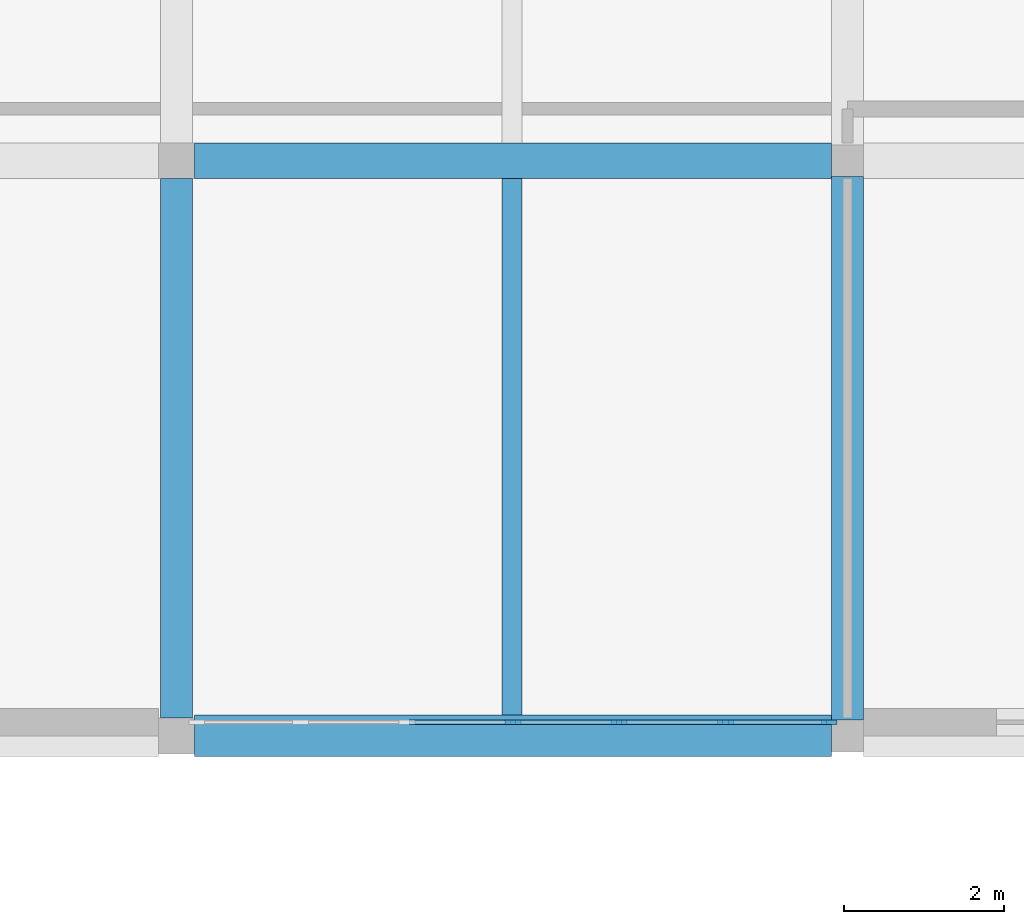
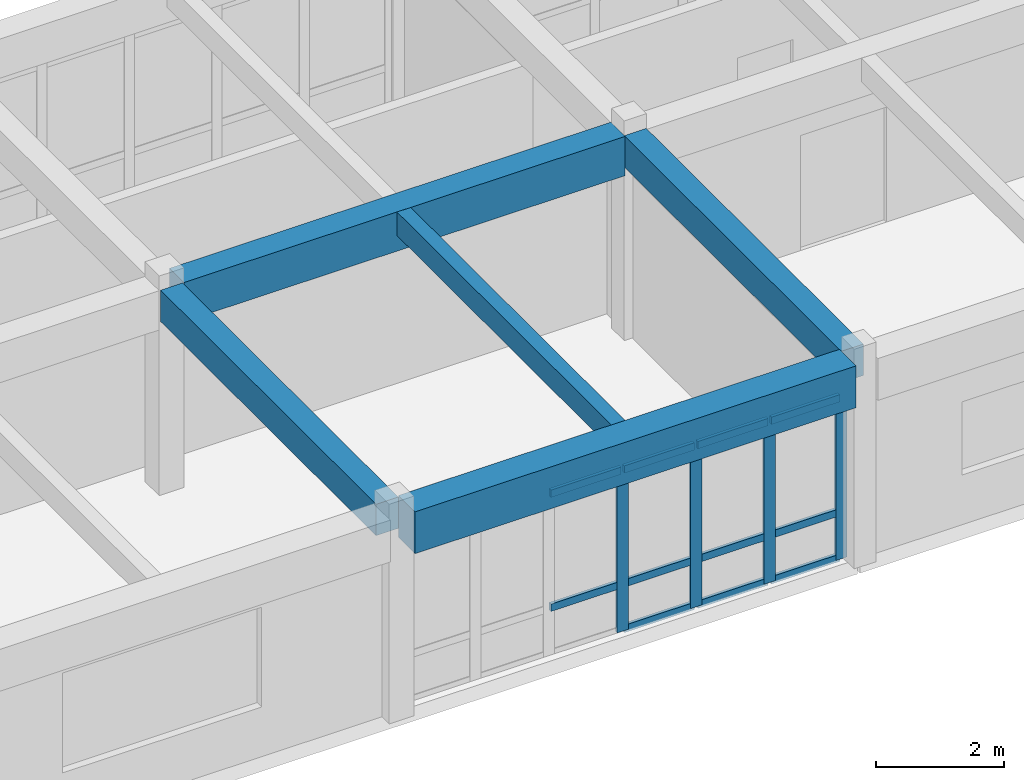
# One storey, part 42 of 147: 15 members, 5 beams, 1 element without a shape of its own.
"""IFC4 building model written with IfcOpenShell, lengths in metres."""

from ifc_helpers import new_model, si_unit, direction, frame, origin, origin_2d, place, context, subcontext, project, spatial, rectangle, extrude, material, material_profile, profile_set, type_object, element, aggregate, save


model = new_model("IFC4")

# Units and contexts
model_context = context("Model", 3, precision=1e-05, world=origin(), true_north=direction((0.0, 1.0)))
body_context = subcontext(model_context, "Body", "Model", "MODEL_VIEW")
ifc_project = project(units=[si_unit("LENGTHUNIT", "METRE"), si_unit("AREAUNIT", "SQUARE_METRE"), si_unit("VOLUMEUNIT", "CUBIC_METRE"), si_unit("PLANEANGLEUNIT", "RADIAN"), si_unit("MASSUNIT", "GRAM", prefix="KILO")], contexts=[model_context])

# Site, building, storey
site_placement = place(None, origin())
site = spatial("IfcSite", under=ifc_project, at=site_placement, CompositionType="ELEMENT")
building_placement = place(site_placement, origin())
building = spatial("IfcBuilding", under=site, at=building_placement, Name="Malvenik Polytechnic", CompositionType="ELEMENT")
storey_placement = place(building_placement, frame((0.0, 0.0, 5.10009765625)))
storey = spatial("IfcBuildingStorey", under=building, at=storey_placement, Name="L01", CompositionType="ELEMENT", Elevation=5.10009765625)

# Curtain wall, members
ifc_material_1 = material(Name="Anodised aluminium 6060-T6", Category="aluminium")
curtain_wall_type = type_object("IfcCurtainWallType", Name="ARC-CW-CW-02", PredefinedType="NOTDEFINED", material=ifc_material_1)
curtain_wall_placement = place(storey_placement, origin())
curtain_wall = element("IfcCurtainWall", 1, at=curtain_wall_placement, inside=storey, type_object=curtain_wall_type, Name="Unitised Curtain Wall CW-02 L01 #114", PredefinedType="NOTDEFINED")
ifc_material_2 = material(Name="Anodised aluminium", Category="aluminium")
ifc_material_profile_1 = material_profile(ifc_material_2, rectangle(XDim=0.06005859375, YDim=0.199951171875, at=origin_2d()), Name="ALU MULLION 60x200")
ifc_profile_set_1 = profile_set([ifc_material_profile_1], Name="Anodised aluminium")
member_type_1 = type_object("IfcMemberType", Name="ARC-CWM-200", PredefinedType="MULLION", material=ifc_profile_set_1)
member_1_placement = place(storey_placement, frame((92.172119140625, 21.77001953125, 0.0), z_axis=(0.0, 0.0, 1.0), x_axis=(0.0, -1.0, 0.0)))
member_1 = element("IfcMember", 2, at=member_1_placement, type_object=member_type_1, Name="CW-02 mullion 1", PredefinedType="MULLION", context=body_context, shape_type="SweptSolid", body=[
    extrude(rectangle(XDim=0.06005859375, YDim=0.199951171875, at=origin_2d()), origin(), (0.0, 0.0, 1.0), 3.10986328125),
])
member_2_placement = place(storey_placement, frame((90.8720703125, 21.77001953125, 0.0), z_axis=(0.0, 0.0, 1.0), x_axis=(0.0, -1.0, 0.0)))
member_2 = element("IfcMember", 3, at=member_2_placement, type_object=member_type_1, Name="CW-02 mullion 2", PredefinedType="MULLION", context=body_context, shape_type="SweptSolid", body=[
    extrude(rectangle(XDim=0.06005859375, YDim=0.199951171875, at=origin_2d()), origin(), (0.0, 0.0, 1.0), 3.10986328125),
])
member_3_placement = place(storey_placement, frame((89.542236328125, 21.77001953125, 0.0), z_axis=(0.0, 0.0, 1.0), x_axis=(0.0, -1.0, 0.0)))
member_3 = element("IfcMember", 4, at=member_3_placement, type_object=member_type_1, Name="CW-02 mullion 3", PredefinedType="MULLION", context=body_context, shape_type="SweptSolid", body=[
    extrude(rectangle(XDim=0.06005859375, YDim=0.199951171875, at=origin_2d()), origin(), (0.0, 0.0, 1.0), 3.10986328125),
])
member_4_placement = place(storey_placement, frame((88.21240234375, 21.77001953125, 0.0), z_axis=(0.0, 0.0, 1.0), x_axis=(0.0, -1.0, 0.0)))
member_4 = element("IfcMember", 5, at=member_4_placement, type_object=member_type_1, Name="CW-02 mullion 4", PredefinedType="MULLION", context=body_context, shape_type="SweptSolid", body=[
    extrude(rectangle(XDim=0.06005859375, YDim=0.199951171875, at=origin_2d()), origin(), (0.0, 0.0, 1.0), 3.10986328125),
])
ifc_material_profile_2 = material_profile(ifc_material_2, rectangle(XDim=0.06005859375, YDim=0.139892578125, at=origin_2d()), Name="ALU TRANSOM 60x140")
ifc_profile_set_2 = profile_set([ifc_material_profile_2], Name="Anodised aluminium")
member_type_2 = type_object("IfcMemberType", Name="ARC-CWT-140", PredefinedType="USERDEFINED", material=ifc_profile_set_2)
member_5_placement = place(storey_placement, frame((92.14208984375, 21.77001953125, 0.02978515625), z_axis=(-1.0, 0.0, 0.0), x_axis=(0.0, -1.0, 0.0)))
member_5 = element("IfcMember", 6, at=member_5_placement, type_object=member_type_2, Name="CW-02 transom 1.1", ObjectType="TRANSOM", PredefinedType="USERDEFINED", context=body_context, shape_type="SweptSolid", body=[
    extrude(rectangle(XDim=0.06005859375, YDim=0.139892578125, at=origin_2d()), origin(), (0.0, 0.0, 1.0), 1.239990234375),
])
member_6_placement = place(storey_placement, frame((92.14208984375, 21.77001953125, 0.89990234375), z_axis=(-1.0, 0.0, 0.0), x_axis=(0.0, -1.0, 0.0)))
member_6 = element("IfcMember", 7, at=member_6_placement, type_object=member_type_2, Name="CW-02 transom 1.2", ObjectType="TRANSOM", PredefinedType="USERDEFINED", context=body_context, shape_type="SweptSolid", body=[
    extrude(rectangle(XDim=0.06005859375, YDim=0.139892578125, at=origin_2d()), origin(), (0.0, 0.0, 1.0), 1.239990234375),
])
member_7_placement = place(storey_placement, frame((92.14208984375, 21.77001953125, 3.079833984375), z_axis=(-1.0, 0.0, 0.0), x_axis=(0.0, -1.0, 0.0)))
member_7 = element("IfcMember", 8, at=member_7_placement, type_object=member_type_2, Name="CW-02 transom 1.3", ObjectType="TRANSOM", PredefinedType="USERDEFINED", context=body_context, shape_type="SweptSolid", body=[
    extrude(rectangle(XDim=0.06005859375, YDim=0.139892578125, at=origin_2d()), origin(), (0.0, 0.0, 1.0), 1.239990234375),
])
member_8_placement = place(storey_placement, frame((90.84228515625, 21.77001953125, 0.02978515625), z_axis=(-1.0, 0.0, 0.0), x_axis=(0.0, -1.0, 0.0)))
member_8 = element("IfcMember", 9, at=member_8_placement, type_object=member_type_2, Name="CW-02 transom 2.1", ObjectType="TRANSOM", PredefinedType="USERDEFINED", context=body_context, shape_type="SweptSolid", body=[
    extrude(rectangle(XDim=0.06005859375, YDim=0.139892578125, at=origin_2d()), origin(), (0.0, 0.0, 1.0), 1.27001953125),
])
member_9_placement = place(storey_placement, frame((90.84228515625, 21.77001953125, 0.89990234375), z_axis=(-1.0, 0.0, 0.0), x_axis=(0.0, -1.0, 0.0)))
member_9 = element("IfcMember", 10, at=member_9_placement, type_object=member_type_2, Name="CW-02 transom 2.2", ObjectType="TRANSOM", PredefinedType="USERDEFINED", context=body_context, shape_type="SweptSolid", body=[
    extrude(rectangle(XDim=0.06005859375, YDim=0.139892578125, at=origin_2d()), origin(), (0.0, 0.0, 1.0), 1.27001953125),
])
member_10_placement = place(storey_placement, frame((90.84228515625, 21.77001953125, 3.079833984375), z_axis=(-1.0, 0.0, 0.0), x_axis=(0.0, -1.0, 0.0)))
member_10 = element("IfcMember", 11, at=member_10_placement, type_object=member_type_2, Name="CW-02 transom 2.3", ObjectType="TRANSOM", PredefinedType="USERDEFINED", context=body_context, shape_type="SweptSolid", body=[
    extrude(rectangle(XDim=0.06005859375, YDim=0.139892578125, at=origin_2d()), origin(), (0.0, 0.0, 1.0), 1.27001953125),
])
member_11_placement = place(storey_placement, frame((89.512451171875, 21.77001953125, 0.02978515625), z_axis=(-1.0, 0.0, 0.0), x_axis=(0.0, -1.0, 0.0)))
member_11 = element("IfcMember", 12, at=member_11_placement, type_object=member_type_2, Name="CW-02 transom 3.1", ObjectType="TRANSOM", PredefinedType="USERDEFINED", context=body_context, shape_type="SweptSolid", body=[
    extrude(rectangle(XDim=0.06005859375, YDim=0.139892578125, at=origin_2d()), origin(), (0.0, 0.0, 1.0), 1.27001953125),
])
member_12_placement = place(storey_placement, frame((89.512451171875, 21.77001953125, 0.89990234375), z_axis=(-1.0, 0.0, 0.0), x_axis=(0.0, -1.0, 0.0)))
member_12 = element("IfcMember", 13, at=member_12_placement, type_object=member_type_2, Name="CW-02 transom 3.2", ObjectType="TRANSOM", PredefinedType="USERDEFINED", context=body_context, shape_type="SweptSolid", body=[
    extrude(rectangle(XDim=0.06005859375, YDim=0.139892578125, at=origin_2d()), origin(), (0.0, 0.0, 1.0), 1.27001953125),
])
member_13_placement = place(storey_placement, frame((89.512451171875, 21.77001953125, 3.079833984375), z_axis=(-1.0, 0.0, 0.0), x_axis=(0.0, -1.0, 0.0)))
member_13 = element("IfcMember", 14, at=member_13_placement, type_object=member_type_2, Name="CW-02 transom 3.3", ObjectType="TRANSOM", PredefinedType="USERDEFINED", context=body_context, shape_type="SweptSolid", body=[
    extrude(rectangle(XDim=0.06005859375, YDim=0.139892578125, at=origin_2d()), origin(), (0.0, 0.0, 1.0), 1.27001953125),
])
member_14_placement = place(storey_placement, frame((88.1826171875, 21.77001953125, 0.89990234375), z_axis=(-1.0, 0.0, 0.0), x_axis=(0.0, -1.0, 0.0)))
member_14 = element("IfcMember", 15, at=member_14_placement, type_object=member_type_2, Name="CW-02 transom 4.2", ObjectType="TRANSOM", PredefinedType="USERDEFINED", context=body_context, shape_type="SweptSolid", body=[
    extrude(rectangle(XDim=0.06005859375, YDim=0.139892578125, at=origin_2d()), origin(), (0.0, 0.0, 1.0), 1.27001953125),
])
member_15_placement = place(storey_placement, frame((88.1826171875, 21.77001953125, 3.079833984375), z_axis=(-1.0, 0.0, 0.0), x_axis=(0.0, -1.0, 0.0)))
member_15 = element("IfcMember", 16, at=member_15_placement, type_object=member_type_2, Name="CW-02 transom 4.3", ObjectType="TRANSOM", PredefinedType="USERDEFINED", context=body_context, shape_type="SweptSolid", body=[
    extrude(rectangle(XDim=0.06005859375, YDim=0.139892578125, at=origin_2d()), origin(), (0.0, 0.0, 1.0), 1.27001953125),
])
aggregate(curtain_wall, [member_1, member_2, member_3, member_4, member_5, member_6, member_7, member_8, member_9, member_10, member_11, member_12, member_13, member_14, member_15])

# Beams
ifc_material_3 = material(Name="Concrete C35/45", Category="concrete")
ifc_material_profile_3 = material_profile(ifc_material_3, rectangle(XDim=0.449951171875, YDim=0.75, at=origin_2d()), Name="RC BM 450x750")
ifc_profile_set_3 = profile_set([ifc_material_profile_3], Name="Concrete C35/45")
beam_type_1 = type_object("IfcBeamType", Name="STR-BM-B-03", PredefinedType="BEAM", material=ifc_profile_set_3)
beam_1_placement = place(storey_placement, frame((84.222900390625, 28.800048828125, 3.544921875), z_axis=(1.0, 0.0, 0.0), x_axis=(0.0, 1.0, 0.0)))
element("IfcBeam", 17, at=beam_1_placement, inside=storey, type_object=beam_type_1, Name="Primary Beam B-03 L01 #983", PredefinedType="BEAM", context=body_context, shape_type="SweptSolid", body=[
    extrude(rectangle(XDim=0.449951171875, YDim=0.75, at=origin_2d()), origin(), (0.0, 0.0, 1.0), 7.97900390625),
])
ifc_material_profile_4 = material_profile(ifc_material_3, rectangle(XDim=0.39990234375, YDim=0.60009765625, at=origin_2d()), Name="RC BM 400x600")
ifc_profile_set_4 = profile_set([ifc_material_profile_4], Name="Concrete C35/45")
beam_type_2 = type_object("IfcBeamType", Name="STR-BM-B-06", PredefinedType="BEAM", material=ifc_profile_set_4)
beam_2_placement = place(storey_placement, frame((84.0, 21.822998046875, 3.619873046875), z_axis=(0.0, 1.0, 0.0), x_axis=(-1.0, 0.0, 0.0)))
element("IfcBeam", 18, at=beam_2_placement, inside=storey, type_object=beam_type_2, Name="Transverse Beam B-06 L01 #1187", PredefinedType="BEAM", context=body_context, shape_type="SweptSolid", body=[
    extrude(rectangle(XDim=0.39990234375, YDim=0.60009765625, at=origin_2d()), origin(), (0.0, 0.0, 1.0), 6.75390625),
])
beam_3_placement = place(storey_placement, frame((92.39990234375, 21.798095703125, 3.619873046875), z_axis=(0.0, 1.0, 0.0), x_axis=(-1.0, 0.0, 0.0)))
element("IfcBeam", 19, at=beam_3_placement, inside=storey, type_object=beam_type_2, Name="Transverse Beam B-06 L01 #1197", PredefinedType="BEAM", context=body_context, shape_type="SweptSolid", body=[
    extrude(rectangle(XDim=0.39990234375, YDim=0.60009765625, at=origin_2d()), origin(), (0.0, 0.0, 1.0), 6.803955078125),
])
ifc_material_4 = material(Name="Concrete C30/37", Category="concrete")
ifc_material_profile_5 = material_profile(ifc_material_4, rectangle(XDim=0.25, YDim=0.449951171875, at=origin_2d()), Name="RC JST 250x450")
ifc_profile_set_5 = profile_set([ifc_material_profile_5], Name="Concrete C30/37")
beam_type_3 = type_object("IfcBeamType", Name="STR-BM-J-02", PredefinedType="JOIST", material=ifc_profile_set_5)
beam_4_placement = place(storey_placement, frame((88.199951171875, 21.85791015625, 3.69482421875), z_axis=(0.0, 1.0, 0.0), x_axis=(-1.0, 0.0, 0.0)))
element("IfcBeam", 20, at=beam_4_placement, inside=storey, type_object=beam_type_3, Name="Secondary Rib Joist J-02 L01 #1292", PredefinedType="JOIST", context=body_context, shape_type="SweptSolid", body=[
    extrude(rectangle(XDim=0.25, YDim=0.449951171875, at=origin_2d()), origin(), (0.0, 0.0, 1.0), 6.718994140625),
])
ifc_material_5 = material(Name="Precast concrete C40/50", Category="concrete")
ifc_material_profile_6 = material_profile(ifc_material_5, rectangle(XDim=0.52001953125, YDim=0.800048828125, at=origin_2d()), Name="PC SPN 520x800")
ifc_profile_set_6 = profile_set([ifc_material_profile_6], Name="Precast concrete C40/50")
beam_type_4 = type_object("IfcBeamType", Name="STR-BM-SP-01", PredefinedType="SPANDREL", material=ifc_profile_set_6)
beam_5_placement = place(storey_placement, frame((84.222900390625, 21.60009765625, 3.52001953125), z_axis=(1.0, 0.0, 0.0), x_axis=(0.0, 1.0, 0.0)))
element("IfcBeam", 21, at=beam_5_placement, inside=storey, type_object=beam_type_4, Name="Primary Beam SP-01 L01 #973", PredefinedType="SPANDREL", context=body_context, shape_type="SweptSolid", body=[
    extrude(rectangle(XDim=0.52001953125, YDim=0.800048828125, at=origin_2d()), origin(), (0.0, 0.0, 1.0), 7.97900390625),
])

save(model, "model.ifc")
